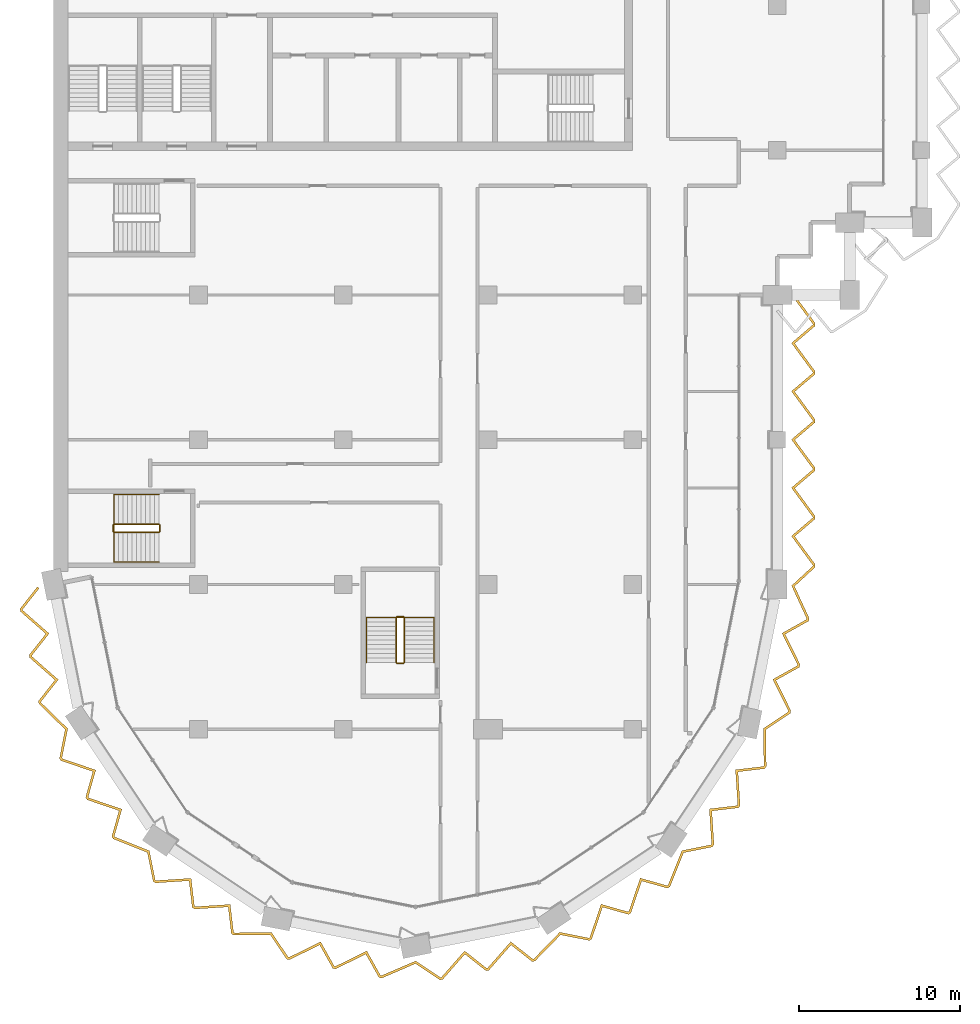
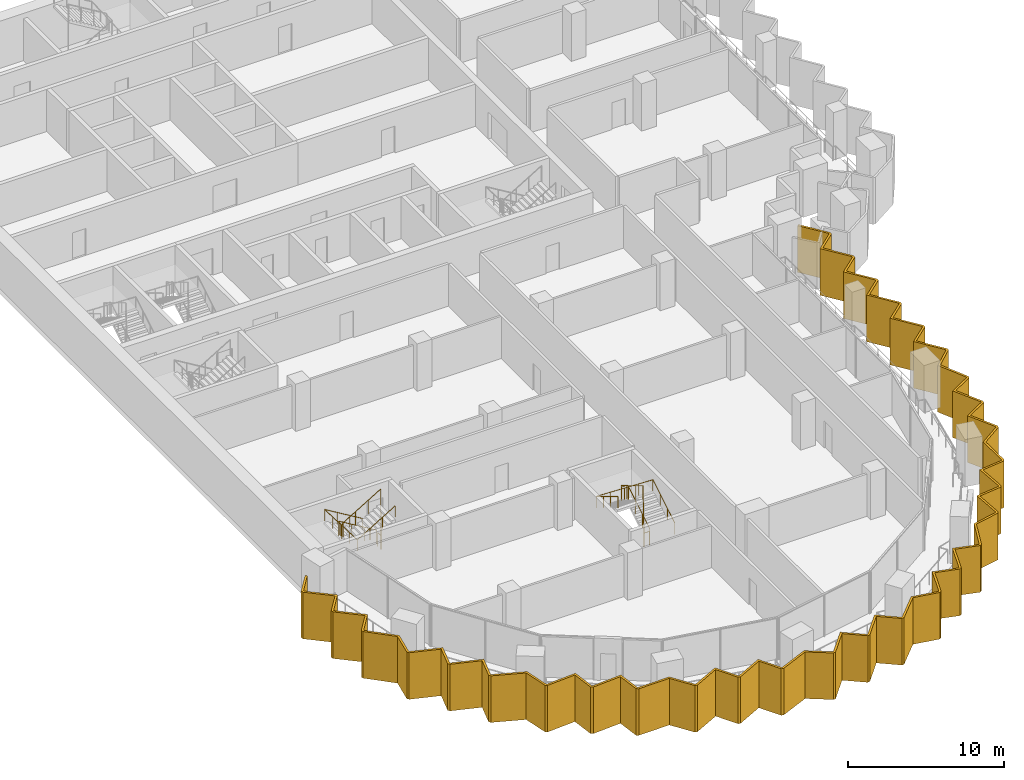
# One storey, part 14 of 17: 4 railings, 1 shading device.
"""IFC4 building model written with IfcOpenShell, lengths in metres."""

from ifc_helpers import new_model, si_unit, direction, frame, origin, origin_2d, place, context, subcontext, project, spatial, polyline, circle, outline, extrude, material, layer, layer_set, type_object, element, save


model = new_model("IFC4")

# Units and contexts
model_context = context("Model", 3, precision=1e-05, world=origin(), true_north=direction((0.0, 1.0)))
body_context = subcontext(model_context, "Body", "Model", "MODEL_VIEW")
ifc_project = project(units=[si_unit("LENGTHUNIT", "METRE"), si_unit("AREAUNIT", "SQUARE_METRE"), si_unit("VOLUMEUNIT", "CUBIC_METRE"), si_unit("PLANEANGLEUNIT", "RADIAN"), si_unit("MASSUNIT", "GRAM", prefix="KILO")], contexts=[model_context])

# Site, building, storey
site_placement = place(None, origin())
site = spatial("IfcSite", under=ifc_project, at=site_placement, CompositionType="ELEMENT")
building_placement = place(site_placement, origin())
building = spatial("IfcBuilding", under=site, at=building_placement, Name="Hunhe Ridgeline Campus", CompositionType="ELEMENT")
storey_placement = place(building_placement, frame((0.0, 0.0, 201.300048828125)))
storey = spatial("IfcBuildingStorey", under=building, at=storey_placement, Name="L51", CompositionType="ELEMENT", Elevation=201.300048828125)

# Shading device
ifc_material_1 = material(Name="Concrete C50", Category="concrete")
ifc_layer = layer(ifc_material_1, 0.14990234375)
ifc_layer_set = layer_set([ifc_layer], Name="Sawtooth concrete fin 150 Concrete C50")
shading_device_type = type_object("IfcShadingDeviceType", Name="Sawtooth concrete fin 150 Concrete C50", PredefinedType="USERDEFINED", material=ifc_layer_set)
shading_device_placement = place(storey_placement, frame((0.0, 0.0, -0.949951171875)))
element("IfcShadingDevice", 1, at=shading_device_placement, inside=storey, type_object=shading_device_type, Name="Concrete fin screen 1", ObjectType="FIN", PredefinedType="USERDEFINED", context=body_context, shape_type="SweptSolid", body=[
    extrude(outline(polyline([(-0.8974609375, 35.763427734375), (-1.01513671875, 35.856201171875), (-2.09521484375, 34.487548828125), (-2.06005859375, 34.310791015625), (-0.48828125, 32.93017578125), (-1.524169921875, 31.617431640625), (-1.4892578125, 31.440673828125), (0.08251953125, 30.06005859375), (-0.953369140625, 28.747314453125), (-0.918701171875, 28.57275390625), (0.712890625, 26.98388671875), (0.35791015625, 25.1875), (0.455810546875, 25.040771484375), (2.436279296875, 24.36669921875), (1.981689453125, 22.75732421875), (2.08154296875, 22.607666015625), (4.06201171875, 21.93359375), (3.607421875, 20.323974609375), (3.706298828125, 20.17626953125), (5.821533203125, 19.33251953125), (6.18115234375, 17.537109375), (6.327880859375, 17.43896484375), (8.41552734375, 17.57421875), (8.611328125, 15.913330078125), (8.760986328125, 15.813232421875), (10.8486328125, 15.948486328125), (11.04443359375, 14.287353515625), (11.1923828125, 14.188720703125), (13.469482421875, 14.21875), (14.48876953125, 12.697509765625), (14.661865234375, 12.6630859375), (16.538818359375, 13.5869140625), (17.35546875, 12.127197265625), (17.531982421875, 12.09228515625), (19.408935546875, 13.015869140625), (20.2255859375, 11.556396484375), (20.39990234375, 11.521728515625), (22.4921875, 12.4208984375), (24.01611328125, 11.405517578125), (24.189208984375, 11.43994140625), (25.56982421875, 13.01171875), (26.882568359375, 11.975830078125), (27.059326171875, 12.0107421875), (28.43994140625, 13.58251953125), (29.752685546875, 12.546630859375), (29.92724609375, 12.581298828125), (31.51611328125, 14.212890625), (33.3125, 13.85791015625), (33.459228515625, 13.955810546875), (34.13330078125, 15.936279296875), (35.74267578125, 15.481689453125), (35.892333984375, 15.58154296875), (36.56640625, 17.56201171875), (38.176025390625, 17.107421875), (38.32373046875, 17.206298828125), (39.16748046875, 19.321533203125), (40.962890625, 19.68115234375), (41.06103515625, 19.827880859375), (40.92578125, 21.91552734375), (42.586669921875, 22.111328125), (42.686767578125, 22.260986328125), (42.551513671875, 24.3486328125), (44.212646484375, 24.54443359375), (44.311279296875, 24.6923828125), (44.28125, 26.969482421875), (45.802490234375, 27.98876953125), (45.8369140625, 28.161865234375), (44.9130859375, 30.038818359375), (46.372802734375, 30.85546875), (46.40771484375, 31.031982421875), (45.484130859375, 32.908935546875), (46.943603515625, 33.7255859375), (46.978515625, 33.90087890625), (46.06591796875, 35.885986328125), (47.35009765625, 37.07666015625), (47.35009765625, 37.25390625), (46.07666015625, 38.98828125), (47.35009765625, 40.07470703125), (47.35009765625, 40.25390625), (46.07666015625, 41.98828125), (47.35009765625, 43.07470703125), (47.35009765625, 43.25390625), (46.07666015625, 44.98828125), (47.35009765625, 46.07470703125), (47.35009765625, 46.25390625), (46.07666015625, 47.98828125), (47.35009765625, 49.07470703125), (47.35009765625, 49.25390625), (46.07666015625, 50.98828125), (47.35009765625, 52.07470703125), (47.35009765625, 52.25390625), (46.035400390625, 54.04443359375), (45.91455078125, 53.95556640625), (47.199951171875, 52.204833984375), (47.199951171875, 52.143798828125), (45.873291015625, 51.01171875), (47.199951171875, 49.204833984375), (47.199951171875, 49.143798828125), (45.873291015625, 48.01171875), (47.199951171875, 46.204833984375), (47.199951171875, 46.143798828125), (45.873291015625, 45.01171875), (47.199951171875, 43.204833984375), (47.199951171875, 43.143798828125), (45.873291015625, 42.01171875), (47.199951171875, 40.204833984375), (47.199951171875, 40.143798828125), (45.873291015625, 39.01171875), (47.199951171875, 37.204833984375), (47.199951171875, 37.14208984375), (45.884033203125, 35.922119140625), (46.822021484375, 33.882568359375), (46.81005859375, 33.822509765625), (45.28662109375, 32.970458984375), (46.250732421875, 31.01123046875), (46.239013671875, 30.952392578125), (44.7158203125, 30.100341796875), (45.679931640625, 28.14111328125), (45.66748046875, 28.078857421875), (44.130126953125, 27.048828125), (44.16064453125, 24.737060546875), (44.126220703125, 24.685302734375), (42.392822265625, 24.48095703125), (42.53369140625, 22.302001953125), (42.50048828125, 22.252197265625), (40.766845703125, 22.0478515625), (40.907958984375, 19.868896484375), (40.87255859375, 19.81591796875), (39.058349609375, 19.45263671875), (38.20166015625, 17.30517578125), (38.150146484375, 17.2705078125), (36.47021484375, 17.7451171875), (35.766845703125, 15.67822265625), (35.717041015625, 15.644775390625), (34.037109375, 16.119384765625), (33.333740234375, 14.05224609375), (33.28076171875, 14.01708984375), (31.46533203125, 14.375732421875), (29.852294921875, 12.719482421875), (29.79150390625, 12.707275390625), (28.421142578125, 13.78857421875), (26.97998046875, 12.14794921875), (26.921142578125, 12.13623046875), (25.551025390625, 13.217529296875), (24.10986328125, 11.5771484375), (24.047607421875, 11.564697265625), (22.5078125, 12.5908203125), (20.383544921875, 11.677978515625), (20.322509765625, 11.68994140625), (19.470458984375, 13.21337890625), (17.51123046875, 12.249267578125), (17.452392578125, 12.260986328125), (16.600341796875, 13.7841796875), (14.64111328125, 12.820068359375), (14.578857421875, 12.83251953125), (13.548828125, 14.369873046875), (11.237060546875, 14.33935546875), (11.185302734375, 14.373779296875), (10.98095703125, 16.107177734375), (8.802001953125, 15.96630859375), (8.752197265625, 15.99951171875), (8.5478515625, 17.733154296875), (6.368896484375, 17.592041015625), (6.31591796875, 17.62744140625), (5.95263671875, 19.441650390625), (3.80517578125, 20.29833984375), (3.7705078125, 20.349853515625), (4.2451171875, 22.02978515625), (2.17822265625, 22.733154296875), (2.144775390625, 22.782958984375), (2.619384765625, 24.462890625), (0.55224609375, 25.166259765625), (0.51708984375, 25.21923828125), (0.875732421875, 27.03466796875), (-0.780517578125, 28.647705078125), (-0.792724609375, 28.70849609375), (0.28857421875, 30.078857421875), (-1.35205078125, 31.52001953125), (-1.36376953125, 31.578857421875), (-0.282470703125, 32.948974609375), (-1.9228515625, 34.39013671875), (-1.9345703125, 34.448974609375), (-0.8974609375, 35.763427734375)])), origin(), (0.0, 0.0, 1.0), 3.64990234375),
])

# Railings
ifc_material_2 = material(Name="Stainless steel balustrade", Category="steel")
railing_type_1 = type_object("IfcRailingType", Name="Stair guard 1100 stainless", PredefinedType="GUARDRAIL", material=ifc_material_2)
railing_1_placement = place(storey_placement, frame((21.800048828125, 31.14990234375, 0.168212890625)))
element("IfcRailing", 2, at=railing_1_placement, inside=storey, type_object=railing_type_1, Name="L51 stair W3 guard", PredefinedType="GUARDRAIL", context=body_context, shape_type="SweptSolid", body=[
    extrude(circle(Radius=0.02392578125, at=origin_2d()), frame((0.0, 0.0, 1.076171875), z_axis=(0.0, 0.857275202839, 0.514858452973), x_axis=(-1.0, 0.0, 0.0)), (0.0, 0.0, 1.0), 3.26611328125),
    extrude(circle(Radius=0.02392578125, at=origin_2d()), frame((0.0, 2.800048828125, 2.7578125), z_axis=(-0.707106781187, 0.707106781187, 0.0), x_axis=(-0.707106781187, -0.707106781187, 0.0)), (0.0, 0.0, 1.0), 0.07080078125),
    extrude(circle(Radius=0.02392578125, at=origin_2d()), frame((-0.050048828125, 2.85009765625, 2.7578125), z_axis=(-1.0, 0.0, 0.0), x_axis=(0.0, -1.0, 0.0)), (0.0, 0.0, 1.0), 0.39990234375),
    extrude(circle(Radius=0.02392578125, at=origin_2d()), frame((-0.449951171875, 2.85009765625, 2.7578125), z_axis=(-0.274243871929, -0.274243871929, 0.92172696468), x_axis=(0.707106781187, -0.707106781187, 0.0)), (0.0, 0.0, 1.0), 0.1826171875),
    extrude(circle(Radius=0.02392578125, at=origin_2d()), frame((-0.5, 2.800048828125, 2.92578125), z_axis=(0.0, -0.857242210791, 0.514913383045), x_axis=(1.0, 0.0, 0.0)), (0.0, 0.0, 1.0), 3.266357421875),
    extrude(circle(Radius=0.02392578125, at=origin_2d()), frame((-0.5, 0.0, 4.60791015625), z_axis=(0.013524426427, -0.013458453615, -0.999817963389), x_axis=(0.705375805398, 0.708833529934, 0.0)), (0.0, 0.0, 1.0), 3.70068359375),
    extrude(circle(Radius=0.02392578125, at=origin_2d()), frame((-0.449951171875, -0.0498046875, 0.90771484375), z_axis=(1.0, 0.0, 0.0), x_axis=(0.0, 1.0, 0.0)), (0.0, 0.0, 1.0), 0.39990234375),
    extrude(circle(Radius=0.02099609375, at=origin_2d()), origin(), (0.0, 0.0, 1.0), 1.052001953125),
    extrude(circle(Radius=0.02099609375, at=origin_2d()), frame((0.0, 0.933349609375, 0.560546875)), (0.0, 0.0, 1.0), 1.052001953125),
    extrude(circle(Radius=0.02099609375, at=origin_2d()), frame((0.0, 1.86669921875, 1.12109375)), (0.0, 0.0, 1.0), 1.052001953125),
    extrude(circle(Radius=0.02099609375, at=origin_2d()), frame((0.0, 2.800048828125, 1.681640625)), (0.0, 0.0, 1.0), 1.052001953125),
    extrude(circle(Radius=0.02099609375, at=origin_2d()), frame((-0.050048828125, 2.85009765625, 1.681640625)), (0.0, 0.0, 1.0), 1.052001953125),
    extrude(circle(Radius=0.02099609375, at=origin_2d()), frame((-0.449951171875, 2.85009765625, 1.681640625)), (0.0, 0.0, 1.0), 1.052001953125),
    extrude(circle(Radius=0.02099609375, at=origin_2d()), frame((-0.5, 2.800048828125, 1.849853515625)), (0.0, 0.0, 1.0), 1.052001953125),
    extrude(circle(Radius=0.02099609375, at=origin_2d()), frame((-0.5, 1.86669921875, 2.410400390625)), (0.0, 0.0, 1.0), 1.052001953125),
    extrude(circle(Radius=0.02099609375, at=origin_2d()), frame((-0.5, 0.933349609375, 2.97119140625)), (0.0, 0.0, 1.0), 1.052001953125),
    extrude(circle(Radius=0.02099609375, at=origin_2d()), frame((-0.5, 0.0, 3.53173828125)), (0.0, 0.0, 1.0), 1.052001953125),
    extrude(circle(Radius=0.02099609375, at=origin_2d()), frame((-0.487548828125, -0.012451171875, 2.606689453125)), (0.0, 0.0, 1.0), 1.052001953125),
    extrude(circle(Radius=0.02099609375, at=origin_2d()), frame((-0.47509765625, -0.02490234375, 1.681640625)), (0.0, 0.0, 1.0), 1.052001953125),
    extrude(circle(Radius=0.02099609375, at=origin_2d()), frame((-0.46240234375, -0.037353515625, 0.7568359375)), (0.0, 0.0, 1.0), 1.052001953125),
    extrude(circle(Radius=0.02099609375, at=origin_2d()), frame((-0.449951171875, -0.0498046875, -0.168212890625)), (0.0, 0.0, 1.0), 1.052001953125),
    extrude(circle(Radius=0.02099609375, at=origin_2d()), frame((-0.050048828125, -0.0498046875, -0.168212890625)), (0.0, 0.0, 1.0), 1.052001953125),
])
railing_2_placement = place(storey_placement, frame((6.550048828125, 39.75, 0.168212890625)))
element("IfcRailing", 3, at=railing_2_placement, inside=storey, type_object=railing_type_1, Name="L51 stair W1 guard", PredefinedType="GUARDRAIL", context=body_context, shape_type="SweptSolid", body=[
    extrude(circle(Radius=0.02392578125, at=origin_2d()), frame((0.0, 0.0, 1.076171875), z_axis=(-0.857275202839, 0.0, 0.514858452973), x_axis=(0.0, -1.0, 0.0)), (0.0, 0.0, 1.0), 3.26611328125),
    extrude(circle(Radius=0.02392578125, at=origin_2d()), frame((-2.800048828125, 0.0, 2.7578125), z_axis=(-0.707106781187, -0.707106781187, 0.0), x_axis=(0.707106781187, -0.707106781187, 0.0)), (0.0, 0.0, 1.0), 0.07080078125),
    extrude(circle(Radius=0.02392578125, at=origin_2d()), frame((-2.85009765625, -0.050048828125, 2.7578125), z_axis=(0.0, -1.0, 0.0), x_axis=(1.0, 0.0, 0.0)), (0.0, 0.0, 1.0), 0.39990234375),
    extrude(circle(Radius=0.02392578125, at=origin_2d()), frame((-2.85009765625, -0.449951171875, 2.7578125), z_axis=(0.274243871929, -0.274243871929, 0.92172696468), x_axis=(0.707106781187, 0.707106781187, 0.0)), (0.0, 0.0, 1.0), 0.1826171875),
    extrude(circle(Radius=0.02392578125, at=origin_2d()), frame((-2.800048828125, -0.5, 2.92578125), z_axis=(0.857242210791, 0.0, 0.514913383045), x_axis=(0.0, 1.0, 0.0)), (0.0, 0.0, 1.0), 3.266357421875),
    extrude(circle(Radius=0.02392578125, at=origin_2d()), frame((0.0, -0.5, 4.60791015625), z_axis=(0.013524414389, 0.013524414389, -0.999817073484), x_axis=(-0.707106781187, 0.707106781187, 0.0)), (0.0, 0.0, 1.0), 3.70068359375),
    extrude(circle(Radius=0.02392578125, at=origin_2d()), frame((0.050048828125, -0.449951171875, 0.90771484375), z_axis=(0.0, 1.0, 0.0), x_axis=(-1.0, 0.0, 0.0)), (0.0, 0.0, 1.0), 0.39990234375),
    extrude(circle(Radius=0.02099609375, at=origin_2d()), origin(), (0.0, 0.0, 1.0), 1.052001953125),
    extrude(circle(Radius=0.02099609375, at=origin_2d()), frame((-0.933349609375, 0.0, 0.560546875)), (0.0, 0.0, 1.0), 1.052001953125),
    extrude(circle(Radius=0.02099609375, at=origin_2d()), frame((-1.86669921875, 0.0, 1.12109375)), (0.0, 0.0, 1.0), 1.052001953125),
    extrude(circle(Radius=0.02099609375, at=origin_2d()), frame((-2.800048828125, 0.0, 1.681640625)), (0.0, 0.0, 1.0), 1.052001953125),
    extrude(circle(Radius=0.02099609375, at=origin_2d()), frame((-2.85009765625, -0.050048828125, 1.681640625)), (0.0, 0.0, 1.0), 1.052001953125),
    extrude(circle(Radius=0.02099609375, at=origin_2d()), frame((-2.85009765625, -0.449951171875, 1.681640625)), (0.0, 0.0, 1.0), 1.052001953125),
    extrude(circle(Radius=0.02099609375, at=origin_2d()), frame((-2.800048828125, -0.5, 1.849853515625)), (0.0, 0.0, 1.0), 1.052001953125),
    extrude(circle(Radius=0.02099609375, at=origin_2d()), frame((-1.86669921875, -0.5, 2.410400390625)), (0.0, 0.0, 1.0), 1.052001953125),
    extrude(circle(Radius=0.02099609375, at=origin_2d()), frame((-0.933349609375, -0.5, 2.97119140625)), (0.0, 0.0, 1.0), 1.052001953125),
    extrude(circle(Radius=0.02099609375, at=origin_2d()), frame((0.0, -0.5, 3.53173828125)), (0.0, 0.0, 1.0), 1.052001953125),
    extrude(circle(Radius=0.02099609375, at=origin_2d()), frame((0.012451171875, -0.487548828125, 2.606689453125)), (0.0, 0.0, 1.0), 1.052001953125),
    extrude(circle(Radius=0.02099609375, at=origin_2d()), frame((0.02490234375, -0.47509765625, 1.681640625)), (0.0, 0.0, 1.0), 1.052001953125),
    extrude(circle(Radius=0.02099609375, at=origin_2d()), frame((0.03759765625, -0.46240234375, 0.7568359375)), (0.0, 0.0, 1.0), 1.052001953125),
    extrude(circle(Radius=0.02099609375, at=origin_2d()), frame((0.050048828125, -0.449951171875, -0.168212890625)), (0.0, 0.0, 1.0), 1.052001953125),
    extrude(circle(Radius=0.02099609375, at=origin_2d()), frame((0.050048828125, -0.050048828125, -0.168212890625)), (0.0, 0.0, 1.0), 1.052001953125),
])
ifc_material_3 = material(Name="Stainless steel handrail", Category="steel")
railing_type_2 = type_object("IfcRailingType", Name="Stair handrail 900 stainless", PredefinedType="HANDRAIL", material=ifc_material_3)
railing_3_placement = place(storey_placement, frame((23.64990234375, 31.14990234375, 0.168212890625)))
element("IfcRailing", 4, at=railing_3_placement, inside=storey, type_object=railing_type_2, Name="L51 stair W3 handrail", PredefinedType="HANDRAIL", context=body_context, shape_type="SweptSolid", body=[
    extrude(circle(Radius=0.02392578125, at=origin_2d()), frame((0.0, 0.0, 0.8759765625), z_axis=(0.0, 0.857275202839, 0.514858452973), x_axis=(-1.0, 0.0, 0.0)), (0.0, 0.0, 1.0), 3.26611328125),
    extrude(circle(Radius=0.02392578125, at=origin_2d()), frame((0.0, 2.800048828125, 2.5576171875), z_axis=(-0.999198916169, 0.0, 0.040019069537), x_axis=(0.0, -1.0, 0.0)), (0.0, 0.0, 1.0), 4.203369140625),
    extrude(circle(Radius=0.02392578125, at=origin_2d()), frame((-4.199951171875, 2.800048828125, 2.7255859375), z_axis=(0.0, -0.857242210791, 0.514913383045), x_axis=(1.0, 0.0, 0.0)), (0.0, 0.0, 1.0), 3.266357421875),
    extrude(circle(Radius=0.02099609375, at=origin_2d()), origin(), (0.0, 0.0, 1.0), 0.851806640625),
    extrude(circle(Radius=0.02099609375, at=origin_2d()), frame((0.0, 0.933349609375, 0.560546875)), (0.0, 0.0, 1.0), 0.851806640625),
    extrude(circle(Radius=0.02099609375, at=origin_2d()), frame((0.0, 1.86669921875, 1.12109375)), (0.0, 0.0, 1.0), 0.851806640625),
    extrude(circle(Radius=0.02099609375, at=origin_2d()), frame((0.0, 2.800048828125, 1.681640625)), (0.0, 0.0, 1.0), 0.851806640625),
    extrude(circle(Radius=0.02099609375, at=origin_2d()), frame((-1.050048828125, 2.800048828125, 1.7236328125)), (0.0, 0.0, 1.0), 0.851806640625),
    extrude(circle(Radius=0.02099609375, at=origin_2d()), frame((-2.10009765625, 2.800048828125, 1.765625)), (0.0, 0.0, 1.0), 0.851806640625),
    extrude(circle(Radius=0.02099609375, at=origin_2d()), frame((-3.14990234375, 2.800048828125, 1.807861328125)), (0.0, 0.0, 1.0), 0.851806640625),
    extrude(circle(Radius=0.02099609375, at=origin_2d()), frame((-4.199951171875, 2.800048828125, 1.849853515625)), (0.0, 0.0, 1.0), 0.851806640625),
    extrude(circle(Radius=0.02099609375, at=origin_2d()), frame((-4.199951171875, 1.86669921875, 2.410400390625)), (0.0, 0.0, 1.0), 0.851806640625),
    extrude(circle(Radius=0.02099609375, at=origin_2d()), frame((-4.199951171875, 0.933349609375, 2.97119140625)), (0.0, 0.0, 1.0), 0.851806640625),
    extrude(circle(Radius=0.02099609375, at=origin_2d()), frame((-4.199951171875, 0.0, 3.53173828125)), (0.0, 0.0, 1.0), 0.851806640625),
])
railing_4_placement = place(storey_placement, frame((6.550048828125, 41.60009765625, 0.168212890625)))
element("IfcRailing", 5, at=railing_4_placement, inside=storey, type_object=railing_type_2, Name="L51 stair W1 handrail", PredefinedType="HANDRAIL", context=body_context, shape_type="SweptSolid", body=[
    extrude(circle(Radius=0.02392578125, at=origin_2d()), frame((0.0, 0.0, 0.8759765625), z_axis=(-0.857275202839, 0.0, 0.514858452973), x_axis=(0.0, -1.0, 0.0)), (0.0, 0.0, 1.0), 3.26611328125),
    extrude(circle(Radius=0.02392578125, at=origin_2d()), frame((-2.800048828125, 0.0, 2.5576171875), z_axis=(0.0, -0.999199009182, 0.040016747113), x_axis=(1.0, 0.0, 0.0)), (0.0, 0.0, 1.0), 4.20361328125),
    extrude(circle(Radius=0.02392578125, at=origin_2d()), frame((-2.800048828125, -4.2001953125, 2.7255859375), z_axis=(0.857242210791, 0.0, 0.514913383045), x_axis=(0.0, 1.0, 0.0)), (0.0, 0.0, 1.0), 3.266357421875),
    extrude(circle(Radius=0.02099609375, at=origin_2d()), origin(), (0.0, 0.0, 1.0), 0.851806640625),
    extrude(circle(Radius=0.02099609375, at=origin_2d()), frame((-0.933349609375, 0.0, 0.560546875)), (0.0, 0.0, 1.0), 0.851806640625),
    extrude(circle(Radius=0.02099609375, at=origin_2d()), frame((-1.86669921875, 0.0, 1.12109375)), (0.0, 0.0, 1.0), 0.851806640625),
    extrude(circle(Radius=0.02099609375, at=origin_2d()), frame((-2.800048828125, 0.0, 1.681640625)), (0.0, 0.0, 1.0), 0.851806640625),
    extrude(circle(Radius=0.02099609375, at=origin_2d()), frame((-2.800048828125, -1.050048828125, 1.7236328125)), (0.0, 0.0, 1.0), 0.851806640625),
    extrude(circle(Radius=0.02099609375, at=origin_2d()), frame((-2.800048828125, -2.10009765625, 1.765625)), (0.0, 0.0, 1.0), 0.851806640625),
    extrude(circle(Radius=0.02099609375, at=origin_2d()), frame((-2.800048828125, -3.150146484375, 1.807861328125)), (0.0, 0.0, 1.0), 0.851806640625),
    extrude(circle(Radius=0.02099609375, at=origin_2d()), frame((-2.800048828125, -4.2001953125, 1.849853515625)), (0.0, 0.0, 1.0), 0.851806640625),
    extrude(circle(Radius=0.02099609375, at=origin_2d()), frame((-1.86669921875, -4.2001953125, 2.410400390625)), (0.0, 0.0, 1.0), 0.851806640625),
    extrude(circle(Radius=0.02099609375, at=origin_2d()), frame((-0.933349609375, -4.2001953125, 2.97119140625)), (0.0, 0.0, 1.0), 0.851806640625),
    extrude(circle(Radius=0.02099609375, at=origin_2d()), frame((0.0, -4.2001953125, 3.53173828125)), (0.0, 0.0, 1.0), 0.851806640625),
])

save(model, "model.ifc")
